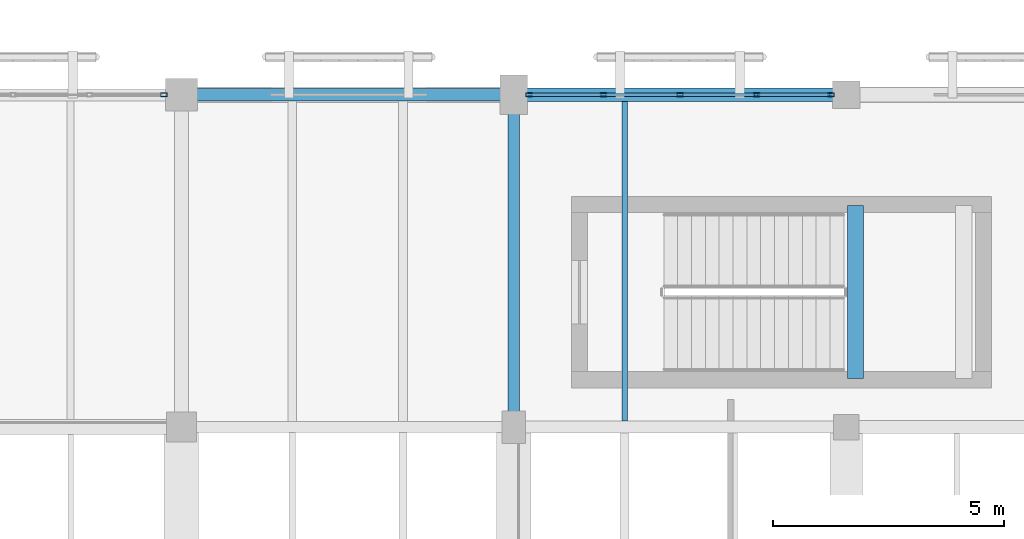
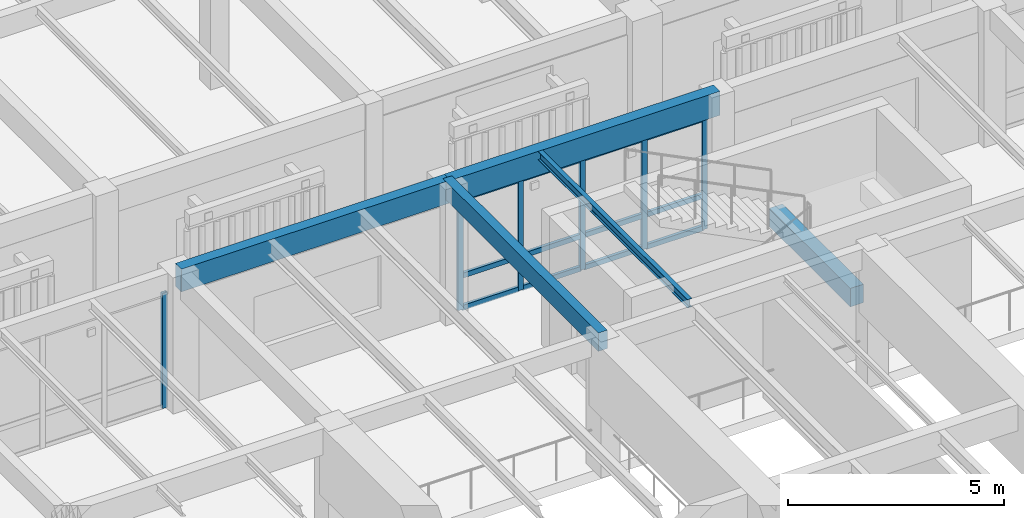
# One storey, part 94 of 170: 18 members, 5 beams, 2 elements without a shape of their own.
"""IFC4 building model written with IfcOpenShell, lengths in metres."""

import ifcopenshell
import ifcopenshell.guid

model = None  # the IFC model being written
_history = None  # IfcOwnerHistory: only IFC2X3 demands one
_inside = {}  # id of a spatial element -> (the spatial element, [elements in it])
_under = {}  # id of a project, library or spatial element -> (it, [spatial elements below it])
_declared = {}  # id of a project -> (the project, [libraries it declares])
_typed = {}  # id of a type object -> (the type object, [elements of that type])
_made_of = {}  # id of a material, layer set ... -> (it, [elements and type objects made of it])


def new_model(schema):
    """Start an empty IFC model of exactly this schema.

    Asked for "IFC4X3", IfcOpenShell would pick the latest addendum, in which some entities
    have other attributes; the version numbers below select the first issue.
    IFC2X3 requires an IfcOwnerHistory on every rooted entity: one is made here for all.
    """
    global model, _history
    if schema == "IFC4X3":
        model = ifcopenshell.file(schema_version=(4, 3, 0, 0))
    else:
        model = ifcopenshell.file(schema=schema)
    _inside.clear()
    _under.clear()
    _declared.clear()
    _typed.clear()
    _made_of.clear()
    _history = None
    if model.schema == "IFC2X3":
        org = make("IfcOrganization", Name="unknown")
        user = make(
            "IfcPersonAndOrganization",
            ThePerson=make("IfcPerson", FamilyName="unknown"),
            TheOrganization=org,
        )
        app = make(
            "IfcApplication",
            ApplicationDeveloper=org,
            Version="unknown",
            ApplicationFullName="unknown",
            ApplicationIdentifier="unknown",
        )
        _history = make(
            "IfcOwnerHistory",
            OwningUser=user,
            OwningApplication=app,
            ChangeAction="ADDED",
            CreationDate=0,
        )
    return model


def make(cls, **values):
    """One entity of the class cls with the attributes given. An attribute that is None is left unset."""
    return model.create_entity(
        cls, **{name: value for name, value in values.items() if value is not None}
    )


def rooted(cls, **values):
    """An entity with a GlobalId (a new one), such as an element, a storey or a relation."""
    return make(cls, GlobalId=ifcopenshell.guid.new(), OwnerHistory=_history, **values)


def si_unit(unit_type, name, prefix=None):
    """IfcSIUnit, for example si_unit("LENGTHUNIT", "METRE", prefix="MILLI")."""
    return make("IfcSIUnit", UnitType=unit_type, Prefix=prefix, Name=name)


def assignment(units):
    """IfcUnitAssignment: the units of a project."""
    return None if units is None else make("IfcUnitAssignment", Units=units)


def point(xyz):
    """IfcCartesianPoint."""
    return None if xyz is None else make("IfcCartesianPoint", Coordinates=xyz)


def direction(xyz):
    """IfcDirection."""
    return None if xyz is None else make("IfcDirection", DirectionRatios=xyz)


def frame(location, z_axis=None, x_axis=None):
    """IfcAxis2Placement3D, a coordinate frame: its origin and axes. An axis left out is left unset."""
    return make(
        "IfcAxis2Placement3D",
        Location=point(location),
        Axis=direction(z_axis),
        RefDirection=direction(x_axis),
    )


def frame_2d(location, x_axis=None):
    """IfcAxis2Placement2D, a coordinate frame in the plane: its origin and x axis."""
    return make(
        "IfcAxis2Placement2D", Location=point(location), RefDirection=direction(x_axis)
    )


def origin():
    """The frame at (0, 0, 0) with its axes left unset."""
    return frame((0.0, 0.0, 0.0))


def origin_2d():
    """The frame at (0, 0) in the plane with its x axis left unset."""
    return frame_2d((0.0, 0.0))


def place(relative_to, where):
    """IfcLocalPlacement: puts the frame where relative to a parent placement (None: the world)."""
    return make(
        "IfcLocalPlacement", PlacementRelTo=relative_to, RelativePlacement=where
    )


def context(
    kind, dimensions, precision=None, world=None, true_north=None, identifier=None
):
    """IfcGeometricRepresentationContext, for example the 3D "Model" context."""
    return make(
        "IfcGeometricRepresentationContext",
        ContextIdentifier=identifier,
        ContextType=kind,
        CoordinateSpaceDimension=dimensions,
        Precision=precision,
        WorldCoordinateSystem=world,
        TrueNorth=true_north,
    )


def subcontext(parent, identifier, kind, view, scale=None):
    """IfcGeometricRepresentationSubContext, for example "Body" below "Model"."""
    return make(
        "IfcGeometricRepresentationSubContext",
        ContextIdentifier=identifier,
        ContextType=kind,
        ParentContext=parent,
        TargetScale=scale,
        TargetView=view,
    )


def project(units=None, contexts=None):
    """IfcProject with its units and contexts."""
    return rooted(
        "IfcProject",
        Name="project",
        RepresentationContexts=contexts,
        UnitsInContext=assignment(units),
    )


def spatial(cls, under=None, at=None, **own):
    """A site, building, storey or space (cls), placed at a placement, below another one or the project."""
    s = rooted(cls, ObjectPlacement=at, **own)
    if under is not None:
        _under.setdefault(under.id(), (under, []))[1].append(s)
    return s


def profile(cls, at=None, kind="AREA", **sizes):
    """A parametric profile (cls). Its sizes go by their IFC names, for example OverallWidth=200.0."""
    return make(cls, ProfileType=kind, Position=at, **sizes)


def rectangle(**sizes):
    """IfcRectangleProfileDef."""
    return profile("IfcRectangleProfileDef", **sizes)


def hollow_rectangle(**sizes):
    """IfcRectangleHollowProfileDef."""
    return profile("IfcRectangleHollowProfileDef", **sizes)


def i_section(**sizes):
    """IfcIShapeProfileDef."""
    return profile("IfcIShapeProfileDef", **sizes)


def extrude(swept, where, along, depth):
    """IfcExtrudedAreaSolid: the profile swept, set in the frame where, extruded along a direction by depth."""
    return make(
        "IfcExtrudedAreaSolid",
        SweptArea=swept,
        Position=where,
        ExtrudedDirection=direction(along),
        Depth=depth,
    )


def shape(context_of_items, identifier, shape_type, items):
    """IfcShapeRepresentation: the items that make up one representation, for example the "Body"."""
    return make(
        "IfcShapeRepresentation",
        ContextOfItems=context_of_items,
        RepresentationIdentifier=identifier,
        RepresentationType=shape_type,
        Items=items,
    )


def material(Name=None, Category=None):
    """IfcMaterial."""
    return make("IfcMaterial", Name=Name, Category=Category)


def layer(
    of_material, thickness, ventilated=None, Name=None, Category=None, Priority=None
):
    """IfcMaterialLayer: one layer of a wall or slab, of a material (None: an air gap)."""
    return make(
        "IfcMaterialLayer",
        Material=of_material,
        LayerThickness=thickness,
        IsVentilated=ventilated,
        Name=Name,
        Category=Category,
        Priority=Priority,
    )


def layer_set(layers, Name=None):
    """IfcMaterialLayerSet."""
    return make("IfcMaterialLayerSet", MaterialLayers=layers, LayerSetName=Name)


def material_profile(
    of_material, cross_section, Name=None, Category=None, Priority=None
):
    """IfcMaterialProfile: a cross section and its material."""
    return make(
        "IfcMaterialProfile",
        Name=Name,
        Material=of_material,
        Profile=cross_section,
        Priority=Priority,
        Category=Category,
    )


def profile_set(profiles, Name=None, composite=None):
    """IfcMaterialProfileSet."""
    return make(
        "IfcMaterialProfileSet",
        Name=Name,
        MaterialProfiles=profiles,
        CompositeProfile=composite,
    )


def made_of(thing, what):
    """Note that an element or type object is made of a material, layer set ...; save() writes the relation."""
    if what is not None:
        _made_of.setdefault(what.id(), (what, []))[1].append(thing)
    return thing


def type_object(cls, material=None, **own):
    """A type object (cls), such as IfcWallType, which elements share."""
    return made_of(rooted(cls, **own), material)


def element(
    cls,
    number,
    at=None,
    inside=None,
    cuts=None,
    type_object=None,
    material=None,
    context=None,
    identifier="Body",
    shape_type=None,
    held_by="IfcProductDefinitionShape",
    body=None,
    shapes=None,
    **own,
):
    """One element of the class cls, such as IfcWall. Its Tag is "e" and its number.

    at: its placement. inside: the storey or other place that contains it. cuts: it is an
    opening in that element (IfcRelVoidsElement). A single representation is given by context,
    identifier, shape_type and body (its items); several are given by shapes. held_by: the class
    of the entity that holds the representations. save() writes the other relations.
    """
    e = rooted(cls, Tag="e%d" % number, ObjectPlacement=at, **own)
    if body is not None:
        shapes = [shape(context, identifier, shape_type, body)]
    if shapes is not None:
        e.Representation = make(held_by, Representations=shapes)
    if inside is not None:
        _inside.setdefault(inside.id(), (inside, []))[1].append(e)
    if cuts is not None:
        rooted(
            "IfcRelVoidsElement", RelatingBuildingElement=cuts, RelatedOpeningElement=e
        )
    if type_object is not None:
        _typed.setdefault(type_object.id(), (type_object, []))[1].append(e)
    return made_of(e, material)


def aggregate(whole, parts):
    """IfcRelAggregates: a whole, such as a stair, and the parts it consists of."""
    return rooted("IfcRelAggregates", RelatingObject=whole, RelatedObjects=parts)


def save(model, path):
    """Write the relations noted so far, then the file.

    IfcRelAggregates (storeys below a building ...), IfcRelContainedInSpatialStructure (elements
    in a storey), IfcRelDefinesByType, IfcRelAssociatesMaterial and IfcRelDeclares: one each for
    every whole, place, type object, material and project.
    """
    for whole, parts in _under.values():
        aggregate(whole, parts)
    for where, things in _inside.values():
        rooted(
            "IfcRelContainedInSpatialStructure",
            RelatedElements=things,
            RelatingStructure=where,
        )
    for kind, things in _typed.values():
        rooted("IfcRelDefinesByType", RelatedObjects=things, RelatingType=kind)
    for what, things in _made_of.values():
        rooted("IfcRelAssociatesMaterial", RelatedObjects=things, RelatingMaterial=what)
    for by, libraries in _declared.values():
        rooted("IfcRelDeclares", RelatingContext=by, RelatedDefinitions=libraries)
    model.write(path)


model = new_model("IFC4")

# Units and contexts
model_context = context("Model", 3, precision=1e-05, world=origin(), true_north=direction((0.0, 1.0)))
body_context = subcontext(model_context, "Body", "Model", "MODEL_VIEW")
ifc_project = project(units=[si_unit("LENGTHUNIT", "METRE"), si_unit("AREAUNIT", "SQUARE_METRE"), si_unit("VOLUMEUNIT", "CUBIC_METRE"), si_unit("PLANEANGLEUNIT", "RADIAN"), si_unit("MASSUNIT", "GRAM", prefix="KILO")], contexts=[model_context])

# Site, building, storey
site_placement = place(None, origin())
site = spatial("IfcSite", under=ifc_project, at=site_placement, CompositionType="ELEMENT")
building_placement = place(site_placement, origin())
building = spatial("IfcBuilding", under=site, at=building_placement, Name="Mazaris Harbour Polytechnic", CompositionType="ELEMENT")
storey_placement = place(building_placement, frame((0.0, 0.0, 5.39990234375)))
storey = spatial("IfcBuildingStorey", under=building, at=storey_placement, Name="L01", CompositionType="ELEMENT", Elevation=5.39990234375)

# Curtain wall, member
ifc_material_1 = material(Name="Anodised Bronze Aluminium and Low-E Glass", Category="aluminium")
ifc_layer = layer(ifc_material_1, 0.159912109375, Name="Anodised Bronze Aluminium and Low-E Glass")
ifc_layer_set = layer_set([ifc_layer], Name="Anodised Bronze Aluminium and Low-E Glass")
curtain_wall_type = type_object("IfcCurtainWallType", Name="Cloister Court Curtain Wall", PredefinedType="NOTDEFINED", material=ifc_layer_set)
curtain_wall_1_placement = place(storey_placement, origin())
curtain_wall_1 = element("IfcCurtainWall", 1, at=curtain_wall_1_placement, inside=storey, type_object=curtain_wall_type, Name="V2 L01 Curtain Wall 44", PredefinedType="NOTDEFINED")
ifc_material_2 = material(Name="Anodised Bronze Steel S355", Category="steel")
ifc_material_profile_1 = material_profile(ifc_material_2, hollow_rectangle(XDim=0.080078125, YDim=0.139892578125, WallThickness=0.00634765625, at=origin_2d()), Name="RHS 80x140x6.3")
ifc_profile_set_1 = profile_set([ifc_material_profile_1], Name="Anodised Bronze Steel S355")
member_type_1 = type_object("IfcMemberType", Name="Curtain Mullion RHS80x140", PredefinedType="MULLION", material=ifc_profile_set_1)
member_1_placement = place(storey_placement, frame((143.617919921875, 43.199951171875, 0.0), z_axis=(0.0, 0.0, 1.0), x_axis=(0.0, 1.0, 0.0)))
member_1 = element("IfcMember", 2, at=member_1_placement, type_object=member_type_1, Name="CW-02 mullion 5", PredefinedType="MULLION", context=body_context, shape_type="SweptSolid", body=[
    extrude(hollow_rectangle(XDim=0.080078125, YDim=0.139892578125, WallThickness=0.00634765625, at=origin_2d()), origin(), (0.0, 0.0, 1.0), 3.260009765625),
])
aggregate(curtain_wall_1, [member_1])

# Curtain wall, members
curtain_wall_2_placement = place(storey_placement, origin())
curtain_wall_2 = element("IfcCurtainWall", 3, at=curtain_wall_2_placement, inside=storey, type_object=curtain_wall_type, Name="V2 L01 Curtain Wall 45", PredefinedType="NOTDEFINED")
member_2_placement = place(storey_placement, frame((151.531982421875, 43.199951171875, 0.0), z_axis=(0.0, 0.0, 1.0), x_axis=(0.0, 1.0, 0.0)))
member_2 = element("IfcMember", 4, at=member_2_placement, type_object=member_type_1, Name="CW-02 mullion 1", PredefinedType="MULLION", context=body_context, shape_type="SweptSolid", body=[
    extrude(hollow_rectangle(XDim=0.080078125, YDim=0.139892578125, WallThickness=0.00634765625, at=origin_2d()), origin(), (0.0, 0.0, 1.0), 3.16015625),
])
member_3_placement = place(storey_placement, frame((153.14599609375, 43.199951171875, 0.0), z_axis=(0.0, 0.0, 1.0), x_axis=(0.0, 1.0, 0.0)))
member_3 = element("IfcMember", 5, at=member_3_placement, type_object=member_type_1, Name="CW-02 mullion 2", PredefinedType="MULLION", context=body_context, shape_type="SweptSolid", body=[
    extrude(hollow_rectangle(XDim=0.080078125, YDim=0.139892578125, WallThickness=0.00634765625, at=origin_2d()), origin(), (0.0, 0.0, 1.0), 3.16015625),
])
member_4_placement = place(storey_placement, frame((154.800048828125, 43.199951171875, 0.0), z_axis=(0.0, 0.0, 1.0), x_axis=(0.0, 1.0, 0.0)))
member_4 = element("IfcMember", 6, at=member_4_placement, type_object=member_type_1, Name="CW-02 mullion 3", PredefinedType="MULLION", context=body_context, shape_type="SweptSolid", body=[
    extrude(hollow_rectangle(XDim=0.080078125, YDim=0.139892578125, WallThickness=0.00634765625, at=origin_2d()), origin(), (0.0, 0.0, 1.0), 3.16015625),
])
member_5_placement = place(storey_placement, frame((156.4541015625, 43.199951171875, 0.0), z_axis=(0.0, 0.0, 1.0), x_axis=(0.0, 1.0, 0.0)))
member_5 = element("IfcMember", 7, at=member_5_placement, type_object=member_type_1, Name="CW-02 mullion 4", PredefinedType="MULLION", context=body_context, shape_type="SweptSolid", body=[
    extrude(hollow_rectangle(XDim=0.080078125, YDim=0.139892578125, WallThickness=0.00634765625, at=origin_2d()), origin(), (0.0, 0.0, 1.0), 3.16015625),
])
member_6_placement = place(storey_placement, frame((158.068115234375, 43.199951171875, 0.0), z_axis=(0.0, 0.0, 1.0), x_axis=(0.0, 1.0, 0.0)))
member_6 = element("IfcMember", 8, at=member_6_placement, type_object=member_type_1, Name="CW-02 mullion 5", PredefinedType="MULLION", context=body_context, shape_type="SweptSolid", body=[
    extrude(hollow_rectangle(XDim=0.080078125, YDim=0.139892578125, WallThickness=0.00634765625, at=origin_2d()), origin(), (0.0, 0.0, 1.0), 3.16015625),
])
ifc_material_3 = material(Name="Anodised Bronze Steel S355", Category="steel")
ifc_material_profile_2 = material_profile(ifc_material_3, hollow_rectangle(XDim=0.080078125, YDim=0.139892578125, WallThickness=0.00634765625, at=origin_2d()), Name="RHS 80x140x6.3")
ifc_profile_set_2 = profile_set([ifc_material_profile_2], Name="Anodised Bronze Steel S355")
member_type_2 = type_object("IfcMemberType", Name="Curtain Transom RHS80x140", PredefinedType="USERDEFINED", material=ifc_profile_set_2)
member_7_placement = place(storey_placement, frame((151.572021484375, 43.199951171875, 0.0400390625), z_axis=(1.0, 0.0, 0.0), x_axis=(0.0, 1.0, 0.0)))
member_7 = element("IfcMember", 9, at=member_7_placement, type_object=member_type_2, Name="CW-02 transom 1.1", ObjectType="TRANSOM", PredefinedType="USERDEFINED", context=body_context, shape_type="SweptSolid", body=[
    extrude(hollow_rectangle(XDim=0.080078125, YDim=0.139892578125, WallThickness=0.00634765625, at=origin_2d()), origin(), (0.0, 0.0, 1.0), 1.533935546875),
])
member_8_placement = place(storey_placement, frame((151.572021484375, 43.199951171875, 0.9501953125), z_axis=(1.0, 0.0, 0.0), x_axis=(0.0, 1.0, 0.0)))
member_8 = element("IfcMember", 10, at=member_8_placement, type_object=member_type_2, Name="CW-02 transom 1.2", ObjectType="TRANSOM", PredefinedType="USERDEFINED", context=body_context, shape_type="SweptSolid", body=[
    extrude(hollow_rectangle(XDim=0.080078125, YDim=0.139892578125, WallThickness=0.00634765625, at=origin_2d()), origin(), (0.0, 0.0, 1.0), 1.533935546875),
])
member_9_placement = place(storey_placement, frame((151.572021484375, 43.199951171875, 3.1201171875), z_axis=(1.0, 0.0, 0.0), x_axis=(0.0, 1.0, 0.0)))
member_9 = element("IfcMember", 11, at=member_9_placement, type_object=member_type_2, Name="CW-02 transom 1.3", ObjectType="TRANSOM", PredefinedType="USERDEFINED", context=body_context, shape_type="SweptSolid", body=[
    extrude(hollow_rectangle(XDim=0.080078125, YDim=0.139892578125, WallThickness=0.00634765625, at=origin_2d()), origin(), (0.0, 0.0, 1.0), 1.533935546875),
])
member_10_placement = place(storey_placement, frame((153.18603515625, 43.199951171875, 0.0400390625), z_axis=(1.0, 0.0, 0.0), x_axis=(0.0, 1.0, 0.0)))
member_10 = element("IfcMember", 12, at=member_10_placement, type_object=member_type_2, Name="CW-02 transom 2.1", ObjectType="TRANSOM", PredefinedType="USERDEFINED", context=body_context, shape_type="SweptSolid", body=[
    extrude(hollow_rectangle(XDim=0.080078125, YDim=0.139892578125, WallThickness=0.00634765625, at=origin_2d()), origin(), (0.0, 0.0, 1.0), 1.573974609375),
])
member_11_placement = place(storey_placement, frame((153.18603515625, 43.199951171875, 0.9501953125), z_axis=(1.0, 0.0, 0.0), x_axis=(0.0, 1.0, 0.0)))
member_11 = element("IfcMember", 13, at=member_11_placement, type_object=member_type_2, Name="CW-02 transom 2.2", ObjectType="TRANSOM", PredefinedType="USERDEFINED", context=body_context, shape_type="SweptSolid", body=[
    extrude(hollow_rectangle(XDim=0.080078125, YDim=0.139892578125, WallThickness=0.00634765625, at=origin_2d()), origin(), (0.0, 0.0, 1.0), 1.573974609375),
])
member_12_placement = place(storey_placement, frame((153.18603515625, 43.199951171875, 3.1201171875), z_axis=(1.0, 0.0, 0.0), x_axis=(0.0, 1.0, 0.0)))
member_12 = element("IfcMember", 14, at=member_12_placement, type_object=member_type_2, Name="CW-02 transom 2.3", ObjectType="TRANSOM", PredefinedType="USERDEFINED", context=body_context, shape_type="SweptSolid", body=[
    extrude(hollow_rectangle(XDim=0.080078125, YDim=0.139892578125, WallThickness=0.00634765625, at=origin_2d()), origin(), (0.0, 0.0, 1.0), 1.573974609375),
])
member_13_placement = place(storey_placement, frame((154.840087890625, 43.199951171875, 0.0400390625), z_axis=(1.0, 0.0, 0.0), x_axis=(0.0, 1.0, 0.0)))
member_13 = element("IfcMember", 15, at=member_13_placement, type_object=member_type_2, Name="CW-02 transom 3.1", ObjectType="TRANSOM", PredefinedType="USERDEFINED", context=body_context, shape_type="SweptSolid", body=[
    extrude(hollow_rectangle(XDim=0.080078125, YDim=0.139892578125, WallThickness=0.00634765625, at=origin_2d()), origin(), (0.0, 0.0, 1.0), 1.573974609375),
])
member_14_placement = place(storey_placement, frame((154.840087890625, 43.199951171875, 0.9501953125), z_axis=(1.0, 0.0, 0.0), x_axis=(0.0, 1.0, 0.0)))
member_14 = element("IfcMember", 16, at=member_14_placement, type_object=member_type_2, Name="CW-02 transom 3.2", ObjectType="TRANSOM", PredefinedType="USERDEFINED", context=body_context, shape_type="SweptSolid", body=[
    extrude(hollow_rectangle(XDim=0.080078125, YDim=0.139892578125, WallThickness=0.00634765625, at=origin_2d()), origin(), (0.0, 0.0, 1.0), 1.573974609375),
])
member_15_placement = place(storey_placement, frame((154.840087890625, 43.199951171875, 3.1201171875), z_axis=(1.0, 0.0, 0.0), x_axis=(0.0, 1.0, 0.0)))
member_15 = element("IfcMember", 17, at=member_15_placement, type_object=member_type_2, Name="CW-02 transom 3.3", ObjectType="TRANSOM", PredefinedType="USERDEFINED", context=body_context, shape_type="SweptSolid", body=[
    extrude(hollow_rectangle(XDim=0.080078125, YDim=0.139892578125, WallThickness=0.00634765625, at=origin_2d()), origin(), (0.0, 0.0, 1.0), 1.573974609375),
])
member_16_placement = place(storey_placement, frame((156.493896484375, 43.199951171875, 0.0400390625), z_axis=(1.0, 0.0, 0.0), x_axis=(0.0, 1.0, 0.0)))
member_16 = element("IfcMember", 18, at=member_16_placement, type_object=member_type_2, Name="CW-02 transom 4.1", ObjectType="TRANSOM", PredefinedType="USERDEFINED", context=body_context, shape_type="SweptSolid", body=[
    extrude(hollow_rectangle(XDim=0.080078125, YDim=0.139892578125, WallThickness=0.00634765625, at=origin_2d()), origin(), (0.0, 0.0, 1.0), 1.5341796875),
])
member_17_placement = place(storey_placement, frame((156.493896484375, 43.199951171875, 0.9501953125), z_axis=(1.0, 0.0, 0.0), x_axis=(0.0, 1.0, 0.0)))
member_17 = element("IfcMember", 19, at=member_17_placement, type_object=member_type_2, Name="CW-02 transom 4.2", ObjectType="TRANSOM", PredefinedType="USERDEFINED", context=body_context, shape_type="SweptSolid", body=[
    extrude(hollow_rectangle(XDim=0.080078125, YDim=0.139892578125, WallThickness=0.00634765625, at=origin_2d()), origin(), (0.0, 0.0, 1.0), 1.5341796875),
])
member_18_placement = place(storey_placement, frame((156.493896484375, 43.199951171875, 3.1201171875), z_axis=(1.0, 0.0, 0.0), x_axis=(0.0, 1.0, 0.0)))
member_18 = element("IfcMember", 20, at=member_18_placement, type_object=member_type_2, Name="CW-02 transom 4.3", ObjectType="TRANSOM", PredefinedType="USERDEFINED", context=body_context, shape_type="SweptSolid", body=[
    extrude(hollow_rectangle(XDim=0.080078125, YDim=0.139892578125, WallThickness=0.00634765625, at=origin_2d()), origin(), (0.0, 0.0, 1.0), 1.5341796875),
])
aggregate(curtain_wall_2, [member_2, member_3, member_4, member_5, member_6, member_7, member_8, member_9, member_10, member_11, member_12, member_13, member_14, member_15, member_16, member_17, member_18])

# Beams
ifc_material_4 = material(Name="Glulam GL32h", Category="wood")
ifc_material_profile_3 = material_profile(ifc_material_4, rectangle(XDim=0.239990234375, YDim=0.52001953125, at=origin_2d()), Name="RECT240x520")
ifc_profile_set_3 = profile_set([ifc_material_profile_3], Name="Glulam GL32h")
beam_type_1 = type_object("IfcBeamType", Name="Glulam Girder 240x520", PredefinedType="BEAM", material=ifc_profile_set_3)
beam_1_placement = place(storey_placement, frame((151.199951171875, 36.0, 3.590087890625), z_axis=(0.0, 1.0, 0.0), x_axis=(-1.0, 0.0, 0.0)))
element("IfcBeam", 21, at=beam_1_placement, inside=storey, type_object=beam_type_1, Name="V2 L01 Tie Girder 570", PredefinedType="BEAM", context=body_context, shape_type="SweptSolid", body=[
    extrude(rectangle(XDim=0.239990234375, YDim=0.52001953125, at=origin_2d()), origin(), (0.0, 0.0, 1.0), 7.199951171875),
])
ifc_material_5 = material(Name="Glulam GL32h", Category="wood")
ifc_material_profile_4 = material_profile(ifc_material_5, rectangle(XDim=0.280029296875, YDim=0.639892578125, at=origin_2d()), Name="RECT280x640")
ifc_profile_set_4 = profile_set([ifc_material_profile_4], Name="Glulam GL32h")
beam_type_2 = type_object("IfcBeamType", Name="Glulam Girder 280x640 Exterior", PredefinedType="BEAM", material=ifc_profile_set_4)
beam_2_placement = place(storey_placement, frame((144.0, 43.199951171875, 3.530029296875), z_axis=(1.0, 0.0, 0.0), x_axis=(0.0, 1.0, 0.0)))
element("IfcBeam", 22, at=beam_2_placement, inside=storey, type_object=beam_type_2, Name="V2 L01 Girder 552", PredefinedType="BEAM", context=body_context, shape_type="SweptSolid", body=[
    extrude(rectangle(XDim=0.280029296875, YDim=0.639892578125, at=origin_2d()), origin(), (0.0, 0.0, 1.0), 7.199951171875),
])
ifc_material_6 = material(Name="Glulam GL32h", Category="wood")
ifc_material_profile_5 = material_profile(ifc_material_6, rectangle(XDim=0.300048828125, YDim=0.679931640625, at=origin_2d()), Name="RECT300x680")
ifc_profile_set_5 = profile_set([ifc_material_profile_5], Name="Glulam GL32h")
beam_type_3 = type_object("IfcBeamType", Name="Glulam Girder 300x680 Exterior", PredefinedType="BEAM", material=ifc_profile_set_5)
beam_3_placement = place(storey_placement, frame((151.199951171875, 43.199951171875, 3.510009765625), z_axis=(1.0, 0.0, 0.0), x_axis=(0.0, 1.0, 0.0)))
element("IfcBeam", 23, at=beam_3_placement, inside=storey, type_object=beam_type_3, Name="V2 L01 Girder 553", PredefinedType="BEAM", context=body_context, shape_type="SweptSolid", body=[
    extrude(rectangle(XDim=0.300048828125, YDim=0.679931640625, at=origin_2d()), origin(), (0.0, 0.0, 1.0), 7.199951171875),
])
ifc_material_7 = material(Name="Concrete C40/50", Category="concrete")
ifc_material_profile_6 = material_profile(ifc_material_7, rectangle(XDim=0.35009765625, YDim=0.52001953125, at=origin_2d()), Name="RECT350x520")
ifc_profile_set_6 = profile_set([ifc_material_profile_6], Name="Concrete C40/50")
beam_type_4 = type_object("IfcBeamType", Name="RC Landing Bearer 350x520", PredefinedType="BEAM", material=ifc_profile_set_6)
beam_4_placement = place(storey_placement, frame((158.60009765625, 37.050048828125, 1.64013671875), z_axis=(0.0, 1.0, 0.0), x_axis=(-1.0, 0.0, 0.0)))
element("IfcBeam", 24, at=beam_4_placement, inside=storey, type_object=beam_type_4, Name="Core ST04 L01 Landing Bearer", PredefinedType="BEAM", context=body_context, shape_type="SweptSolid", body=[
    extrude(rectangle(XDim=0.35009765625, YDim=0.52001953125, at=origin_2d()), origin(), (0.0, 0.0, 1.0), 3.75),
])
ifc_material_8 = material(Name="Steel S355", Category="steel")
ifc_material_profile_7 = material_profile(ifc_material_8, i_section(OverallWidth=0.1201171875, OverallDepth=0.239990234375, WebThickness=0.006103515625, FlangeThickness=0.009765625, FilletRadius=0.014892578125, at=origin_2d()), Name="IPE 240")
ifc_profile_set_7 = profile_set([ifc_material_profile_7], Name="Steel S355")
beam_type_5 = type_object("IfcBeamType", Name="Steel Joist IPE240", PredefinedType="JOIST", material=ifc_profile_set_7)
beam_5_placement = place(storey_placement, frame((153.60009765625, 36.1298828125, 3.72998046875), z_axis=(0.0, 1.0, 0.0), x_axis=(-1.0, 0.0, 0.0)))
element("IfcBeam", 25, at=beam_5_placement, inside=storey, type_object=beam_type_5, Name="V2 L01 Floor Joist 624", PredefinedType="JOIST", context=body_context, shape_type="SweptSolid", body=[
    extrude(i_section(OverallWidth=0.1201171875, OverallDepth=0.239990234375, WebThickness=0.006103515625, FlangeThickness=0.009765625, FilletRadius=0.014892578125, at=origin_2d()), origin(), (0.0, 0.0, 1.0), 6.920166015625),
])

save(model, "model.ifc")
